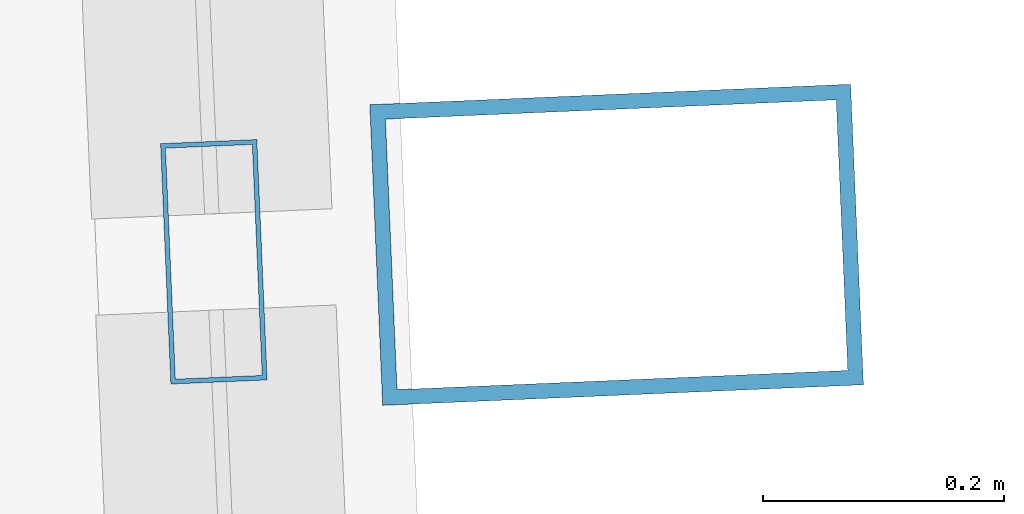
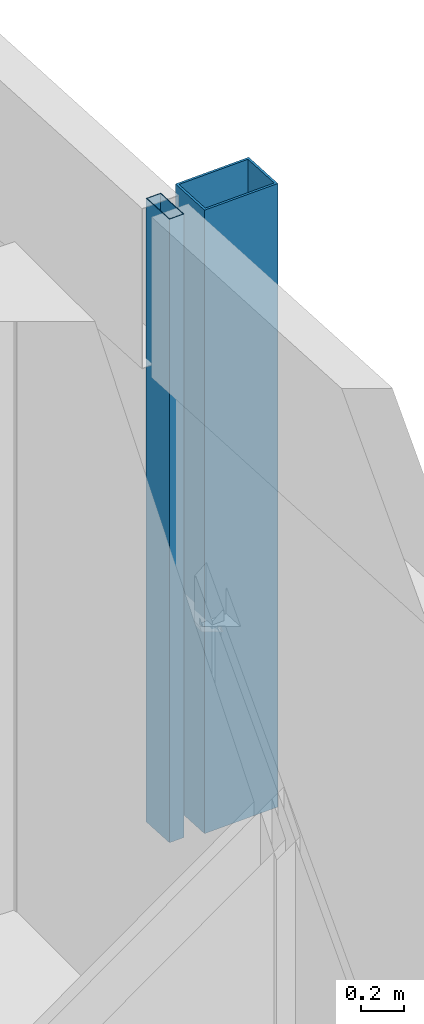
# One storey, part 29 of 45: 2 members, 1 element without a shape of its own.
"""IFC4 building model written with IfcOpenShell, lengths in metres."""

from ifc_helpers import new_model, si_unit, direction, frame, origin, origin_2d, place, context, subcontext, project, spatial, hollow_rectangle, extrude, material, material_profile, profile_set, type_object, element, aggregate, save


model = new_model("IFC4")

# Units and contexts
model_context = context("Model", 3, precision=1e-05, world=origin(), true_north=direction((0.0, 1.0)))
body_context = subcontext(model_context, "Body", "Model", "MODEL_VIEW")
ifc_project = project(units=[si_unit("LENGTHUNIT", "METRE"), si_unit("AREAUNIT", "SQUARE_METRE"), si_unit("VOLUMEUNIT", "CUBIC_METRE"), si_unit("PLANEANGLEUNIT", "RADIAN"), si_unit("MASSUNIT", "GRAM", prefix="KILO")], contexts=[model_context])

# Site, building, storey
site_placement = place(None, origin())
site = spatial("IfcSite", under=ifc_project, at=site_placement, CompositionType="ELEMENT")
building_placement = place(site_placement, origin())
building = spatial("IfcBuilding", under=site, at=building_placement, Name="Rekha Terrace Tower", CompositionType="ELEMENT")
storey_placement = place(building_placement, frame((0.0, 0.0, 44.14990234375)))
storey = spatial("IfcBuildingStorey", under=building, at=storey_placement, Name="L10", CompositionType="ELEMENT", Elevation=44.14990234375)

# Curtain wall, members
ifc_material_1 = material(Name="Aluminium framing", Category="aluminium")
curtain_wall_type = type_object("IfcCurtainWallType", Name="CW2 double skin outer glazing", PredefinedType="USERDEFINED", material=ifc_material_1)
curtain_wall_placement = place(storey_placement, origin())
curtain_wall = element("IfcCurtainWall", 1, at=curtain_wall_placement, inside=storey, type_object=curtain_wall_type, Name="CW2 double skin outer glazing", ObjectType="DOUBLE SKIN OUTER GLAZING", PredefinedType="USERDEFINED")
ifc_material_2 = material(Name="Steel S355 with fluorocarbon finish", Category="steel")
ifc_material_profile_1 = material_profile(ifc_material_2, hollow_rectangle(XDim=0.25, YDim=0.39990234375, WallThickness=0.012451171875, at=origin_2d()), Name="RHS400x250x12.5")
ifc_profile_set_1 = profile_set([ifc_material_profile_1], Name="Steel S355 with fluorocarbon finish")
member_type_1 = type_object("IfcMemberType", Name="BL1 facade blade RHS 400 x 250", PredefinedType="USERDEFINED", material=ifc_profile_set_1)
member_1_placement = place(storey_placement, frame((69.554443359375, 51.724609375, 0.0), z_axis=(0.0, 0.0, 1.0), x_axis=(-0.04269522475, 0.99908814315, 0.0)))
member_1 = element("IfcMember", 2, at=member_1_placement, type_object=member_type_1, Name="Facade blade", ObjectType="FACADE BLADE", PredefinedType="USERDEFINED", context=body_context, shape_type="SweptSolid", body=[
    extrude(hollow_rectangle(XDim=0.25, YDim=0.39990234375, WallThickness=0.012451171875, at=origin_2d()), origin(), (0.0, 0.0, 1.0), 3.5),
])
ifc_material_3 = material(Name="Aluminium mullion section", Category="aluminium")
ifc_material_profile_2 = material_profile(ifc_material_3, hollow_rectangle(XDim=0.080078125, YDim=0.199951171875, WallThickness=0.00390625, at=origin_2d()), Name="AL RHS 80x200")
ifc_profile_set_2 = profile_set([ifc_material_profile_2], Name="Aluminium mullion section")
member_type_2 = type_object("IfcMemberType", Name="CW2 mullion RHS 80 x 200", PredefinedType="MULLION", material=ifc_profile_set_2)
member_2_placement = place(storey_placement, frame((69.2197265625, 51.71044921875, 0.0), z_axis=(0.0, 0.0, 1.0), x_axis=(-0.999088106903, -0.042696072956, 0.0)))
member_2 = element("IfcMember", 3, at=member_2_placement, type_object=member_type_2, Name="CW2 mullion 4", PredefinedType="MULLION", context=body_context, shape_type="SweptSolid", body=[
    extrude(hollow_rectangle(XDim=0.080078125, YDim=0.199951171875, WallThickness=0.00390625, at=origin_2d()), origin(), (0.0, 0.0, 1.0), 3.5),
])
aggregate(curtain_wall, [member_2, member_1])

save(model, "model.ifc")
